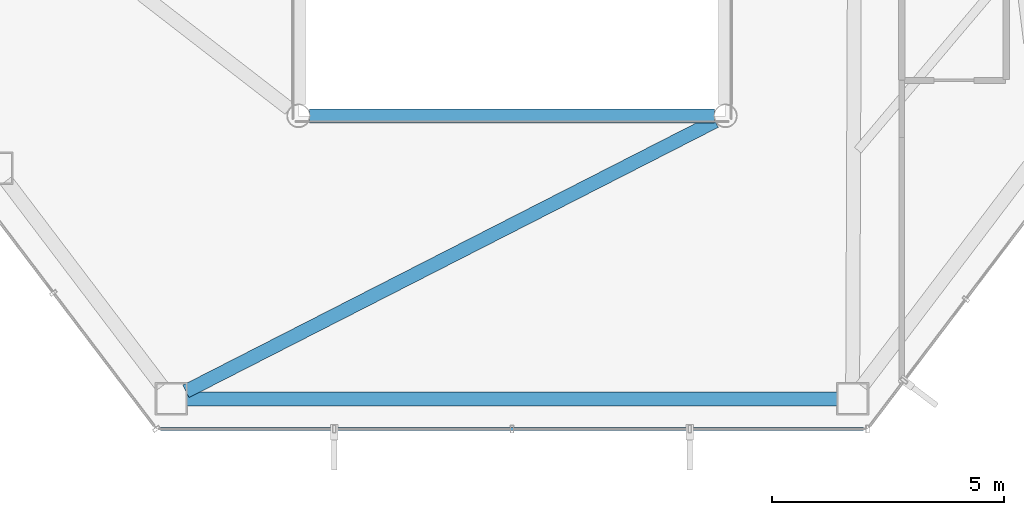
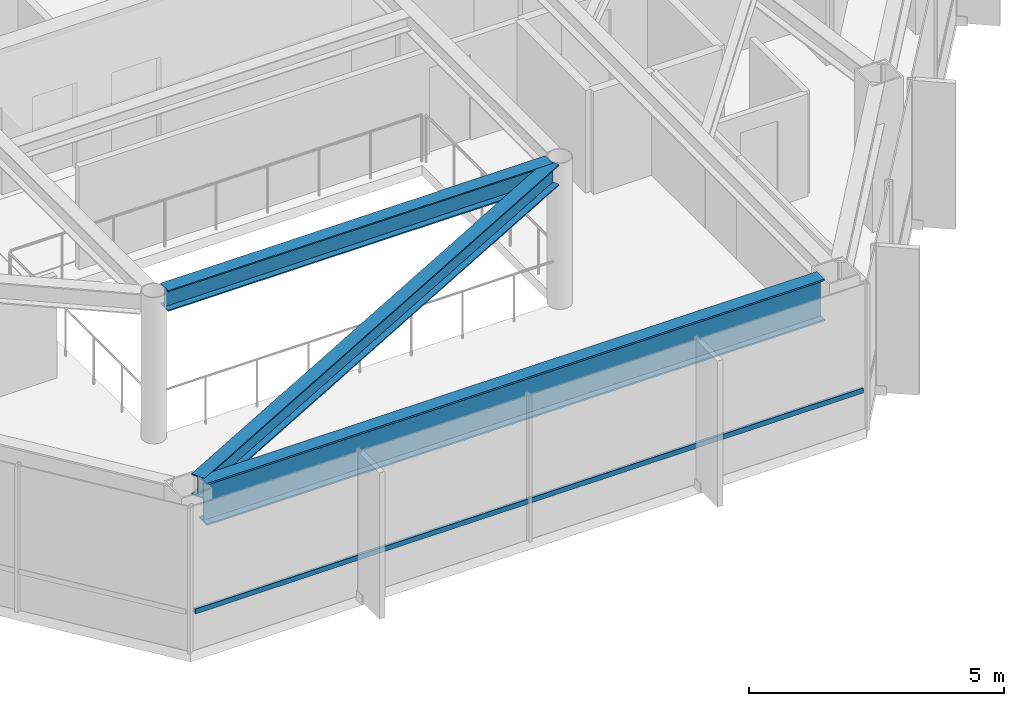
# One storey, part 7 of 28: 3 beams, 1 member, 1 element without a shape of its own.
"""IFC4 building model written with IfcOpenShell, lengths in metres."""

import ifcopenshell
import ifcopenshell.guid

model = None  # the IFC model being written
_history = None  # IfcOwnerHistory: only IFC2X3 demands one
_inside = {}  # id of a spatial element -> (the spatial element, [elements in it])
_under = {}  # id of a project, library or spatial element -> (it, [spatial elements below it])
_declared = {}  # id of a project -> (the project, [libraries it declares])
_typed = {}  # id of a type object -> (the type object, [elements of that type])
_made_of = {}  # id of a material, layer set ... -> (it, [elements and type objects made of it])


def new_model(schema):
    """Start an empty IFC model of exactly this schema.

    Asked for "IFC4X3", IfcOpenShell would pick the latest addendum, in which some entities
    have other attributes; the version numbers below select the first issue.
    IFC2X3 requires an IfcOwnerHistory on every rooted entity: one is made here for all.
    """
    global model, _history
    if schema == "IFC4X3":
        model = ifcopenshell.file(schema_version=(4, 3, 0, 0))
    else:
        model = ifcopenshell.file(schema=schema)
    _inside.clear()
    _under.clear()
    _declared.clear()
    _typed.clear()
    _made_of.clear()
    _history = None
    if model.schema == "IFC2X3":
        org = make("IfcOrganization", Name="unknown")
        user = make(
            "IfcPersonAndOrganization",
            ThePerson=make("IfcPerson", FamilyName="unknown"),
            TheOrganization=org,
        )
        app = make(
            "IfcApplication",
            ApplicationDeveloper=org,
            Version="unknown",
            ApplicationFullName="unknown",
            ApplicationIdentifier="unknown",
        )
        _history = make(
            "IfcOwnerHistory",
            OwningUser=user,
            OwningApplication=app,
            ChangeAction="ADDED",
            CreationDate=0,
        )
    return model


def make(cls, **values):
    """One entity of the class cls with the attributes given. An attribute that is None is left unset."""
    return model.create_entity(
        cls, **{name: value for name, value in values.items() if value is not None}
    )


def rooted(cls, **values):
    """An entity with a GlobalId (a new one), such as an element, a storey or a relation."""
    return make(cls, GlobalId=ifcopenshell.guid.new(), OwnerHistory=_history, **values)


def si_unit(unit_type, name, prefix=None):
    """IfcSIUnit, for example si_unit("LENGTHUNIT", "METRE", prefix="MILLI")."""
    return make("IfcSIUnit", UnitType=unit_type, Prefix=prefix, Name=name)


def assignment(units):
    """IfcUnitAssignment: the units of a project."""
    return None if units is None else make("IfcUnitAssignment", Units=units)


def point(xyz):
    """IfcCartesianPoint."""
    return None if xyz is None else make("IfcCartesianPoint", Coordinates=xyz)


def direction(xyz):
    """IfcDirection."""
    return None if xyz is None else make("IfcDirection", DirectionRatios=xyz)


def frame(location, z_axis=None, x_axis=None):
    """IfcAxis2Placement3D, a coordinate frame: its origin and axes. An axis left out is left unset."""
    return make(
        "IfcAxis2Placement3D",
        Location=point(location),
        Axis=direction(z_axis),
        RefDirection=direction(x_axis),
    )


def frame_2d(location, x_axis=None):
    """IfcAxis2Placement2D, a coordinate frame in the plane: its origin and x axis."""
    return make(
        "IfcAxis2Placement2D", Location=point(location), RefDirection=direction(x_axis)
    )


def origin():
    """The frame at (0, 0, 0) with its axes left unset."""
    return frame((0.0, 0.0, 0.0))


def origin_2d():
    """The frame at (0, 0) in the plane with its x axis left unset."""
    return frame_2d((0.0, 0.0))


def place(relative_to, where):
    """IfcLocalPlacement: puts the frame where relative to a parent placement (None: the world)."""
    return make(
        "IfcLocalPlacement", PlacementRelTo=relative_to, RelativePlacement=where
    )


def context(
    kind, dimensions, precision=None, world=None, true_north=None, identifier=None
):
    """IfcGeometricRepresentationContext, for example the 3D "Model" context."""
    return make(
        "IfcGeometricRepresentationContext",
        ContextIdentifier=identifier,
        ContextType=kind,
        CoordinateSpaceDimension=dimensions,
        Precision=precision,
        WorldCoordinateSystem=world,
        TrueNorth=true_north,
    )


def subcontext(parent, identifier, kind, view, scale=None):
    """IfcGeometricRepresentationSubContext, for example "Body" below "Model"."""
    return make(
        "IfcGeometricRepresentationSubContext",
        ContextIdentifier=identifier,
        ContextType=kind,
        ParentContext=parent,
        TargetScale=scale,
        TargetView=view,
    )


def project(units=None, contexts=None):
    """IfcProject with its units and contexts."""
    return rooted(
        "IfcProject",
        Name="project",
        RepresentationContexts=contexts,
        UnitsInContext=assignment(units),
    )


def spatial(cls, under=None, at=None, **own):
    """A site, building, storey or space (cls), placed at a placement, below another one or the project."""
    s = rooted(cls, ObjectPlacement=at, **own)
    if under is not None:
        _under.setdefault(under.id(), (under, []))[1].append(s)
    return s


def profile(cls, at=None, kind="AREA", **sizes):
    """A parametric profile (cls). Its sizes go by their IFC names, for example OverallWidth=200.0."""
    return make(cls, ProfileType=kind, Position=at, **sizes)


def hollow_rectangle(**sizes):
    """IfcRectangleHollowProfileDef."""
    return profile("IfcRectangleHollowProfileDef", **sizes)


def i_section(**sizes):
    """IfcIShapeProfileDef."""
    return profile("IfcIShapeProfileDef", **sizes)


def extrude(swept, where, along, depth):
    """IfcExtrudedAreaSolid: the profile swept, set in the frame where, extruded along a direction by depth."""
    return make(
        "IfcExtrudedAreaSolid",
        SweptArea=swept,
        Position=where,
        ExtrudedDirection=direction(along),
        Depth=depth,
    )


def shape(context_of_items, identifier, shape_type, items):
    """IfcShapeRepresentation: the items that make up one representation, for example the "Body"."""
    return make(
        "IfcShapeRepresentation",
        ContextOfItems=context_of_items,
        RepresentationIdentifier=identifier,
        RepresentationType=shape_type,
        Items=items,
    )


def material(Name=None, Category=None):
    """IfcMaterial."""
    return make("IfcMaterial", Name=Name, Category=Category)


def layer(
    of_material, thickness, ventilated=None, Name=None, Category=None, Priority=None
):
    """IfcMaterialLayer: one layer of a wall or slab, of a material (None: an air gap)."""
    return make(
        "IfcMaterialLayer",
        Material=of_material,
        LayerThickness=thickness,
        IsVentilated=ventilated,
        Name=Name,
        Category=Category,
        Priority=Priority,
    )


def layer_set(layers, Name=None):
    """IfcMaterialLayerSet."""
    return make("IfcMaterialLayerSet", MaterialLayers=layers, LayerSetName=Name)


def material_profile(
    of_material, cross_section, Name=None, Category=None, Priority=None
):
    """IfcMaterialProfile: a cross section and its material."""
    return make(
        "IfcMaterialProfile",
        Name=Name,
        Material=of_material,
        Profile=cross_section,
        Priority=Priority,
        Category=Category,
    )


def profile_set(profiles, Name=None, composite=None):
    """IfcMaterialProfileSet."""
    return make(
        "IfcMaterialProfileSet",
        Name=Name,
        MaterialProfiles=profiles,
        CompositeProfile=composite,
    )


def made_of(thing, what):
    """Note that an element or type object is made of a material, layer set ...; save() writes the relation."""
    if what is not None:
        _made_of.setdefault(what.id(), (what, []))[1].append(thing)
    return thing


def type_object(cls, material=None, **own):
    """A type object (cls), such as IfcWallType, which elements share."""
    return made_of(rooted(cls, **own), material)


def element(
    cls,
    number,
    at=None,
    inside=None,
    cuts=None,
    type_object=None,
    material=None,
    context=None,
    identifier="Body",
    shape_type=None,
    held_by="IfcProductDefinitionShape",
    body=None,
    shapes=None,
    **own,
):
    """One element of the class cls, such as IfcWall. Its Tag is "e" and its number.

    at: its placement. inside: the storey or other place that contains it. cuts: it is an
    opening in that element (IfcRelVoidsElement). A single representation is given by context,
    identifier, shape_type and body (its items); several are given by shapes. held_by: the class
    of the entity that holds the representations. save() writes the other relations.
    """
    e = rooted(cls, Tag="e%d" % number, ObjectPlacement=at, **own)
    if body is not None:
        shapes = [shape(context, identifier, shape_type, body)]
    if shapes is not None:
        e.Representation = make(held_by, Representations=shapes)
    if inside is not None:
        _inside.setdefault(inside.id(), (inside, []))[1].append(e)
    if cuts is not None:
        rooted(
            "IfcRelVoidsElement", RelatingBuildingElement=cuts, RelatedOpeningElement=e
        )
    if type_object is not None:
        _typed.setdefault(type_object.id(), (type_object, []))[1].append(e)
    return made_of(e, material)


def aggregate(whole, parts):
    """IfcRelAggregates: a whole, such as a stair, and the parts it consists of."""
    return rooted("IfcRelAggregates", RelatingObject=whole, RelatedObjects=parts)


def save(model, path):
    """Write the relations noted so far, then the file.

    IfcRelAggregates (storeys below a building ...), IfcRelContainedInSpatialStructure (elements
    in a storey), IfcRelDefinesByType, IfcRelAssociatesMaterial and IfcRelDeclares: one each for
    every whole, place, type object, material and project.
    """
    for whole, parts in _under.values():
        aggregate(whole, parts)
    for where, things in _inside.values():
        rooted(
            "IfcRelContainedInSpatialStructure",
            RelatedElements=things,
            RelatingStructure=where,
        )
    for kind, things in _typed.values():
        rooted("IfcRelDefinesByType", RelatedObjects=things, RelatingType=kind)
    for what, things in _made_of.values():
        rooted("IfcRelAssociatesMaterial", RelatedObjects=things, RelatingMaterial=what)
    for by, libraries in _declared.values():
        rooted("IfcRelDeclares", RelatingContext=by, RelatedDefinitions=libraries)
    model.write(path)


model = new_model("IFC4")

# Units and contexts
model_context = context("Model", 3, precision=1e-05, world=origin(), true_north=direction((0.0, 1.0)))
body_context = subcontext(model_context, "Body", "Model", "MODEL_VIEW")
ifc_project = project(units=[si_unit("LENGTHUNIT", "METRE"), si_unit("AREAUNIT", "SQUARE_METRE"), si_unit("VOLUMEUNIT", "CUBIC_METRE"), si_unit("PLANEANGLEUNIT", "RADIAN"), si_unit("MASSUNIT", "GRAM", prefix="KILO")], contexts=[model_context])

# Site, building, storey
site_placement = place(None, origin())
site = spatial("IfcSite", under=ifc_project, at=site_placement, CompositionType="ELEMENT")
building_placement = place(site_placement, origin())
building = spatial("IfcBuilding", under=site, at=building_placement, Name="Zarrinselat Tower", CompositionType="ELEMENT")
storey_placement = place(building_placement, frame((0.0, 0.0, 164.56005859375)))
storey = spatial("IfcBuildingStorey", under=building, at=storey_placement, Name="L40", CompositionType="ELEMENT", Elevation=164.56005859375)

# Beams
ifc_material_1 = material(Name="Steel S355J2", Category="steel")
ifc_material_profile_1 = material_profile(ifc_material_1, i_section(OverallWidth=0.300048828125, OverallDepth=0.5, WebThickness=0.014404296875, FlangeThickness=0.028076171875, at=origin_2d()), Name="HEB 500")
ifc_profile_set_1 = profile_set([ifc_material_profile_1], Name="Steel S355J2")
beam_type_1 = type_object("IfcBeamType", Name="BM-HEB500", PredefinedType="BEAM", material=ifc_profile_set_1)
beam_1_placement = place(storey_placement, frame((34.0400390625, 24.39990234375, 3.25), z_axis=(1.0, 0.0, 0.0), x_axis=(0.0, 1.0, 0.0)))
element("IfcBeam", 1, at=beam_1_placement, inside=storey, type_object=beam_type_1, Name="L40 Atrium Edge Beam S", PredefinedType="BEAM", context=body_context, shape_type="SweptSolid", body=[
    extrude(i_section(OverallWidth=0.300048828125, OverallDepth=0.5, WebThickness=0.014404296875, FlangeThickness=0.028076171875, at=origin_2d()), origin(), (0.0, 0.0, 1.0), 8.719970703125),
])
beam_2_placement = place(storey_placement, frame((31.3740234375, 18.46337890625, 3.25), z_axis=(0.890604443327, 0.454778765475, 0.0), x_axis=(-0.454778765475, 0.890604443327, 0.0)))
element("IfcBeam", 2, at=beam_2_placement, inside=storey, type_object=beam_type_1, Name="L40 Radial Primary Girder RG10", PredefinedType="BEAM", context=body_context, shape_type="SweptSolid", body=[
    extrude(i_section(OverallWidth=0.300048828125, OverallDepth=0.5, WebThickness=0.014404296875, FlangeThickness=0.028076171875, at=origin_2d()), origin(), (0.0, 0.0, 1.0), 12.803955078125),
])
ifc_material_2 = material(Name="Steel S460M", Category="steel")
ifc_material_profile_2 = material_profile(ifc_material_2, i_section(OverallWidth=0.302001953125, OverallDepth=1.008056640625, WebThickness=0.02099609375, FlangeThickness=0.0400390625, at=origin_2d()), Name="HEM 1000")
ifc_profile_set_2 = profile_set([ifc_material_profile_2], Name="Steel S460M")
beam_type_2 = type_object("IfcBeamType", Name="BM-HEM1000", PredefinedType="BEAM", material=ifc_profile_set_2)
beam_3_placement = place(storey_placement, frame((31.398681640625, 18.30322265625, 2.995849609375), z_axis=(1.0, 0.0, 0.0), x_axis=(0.0, 1.0, 0.0)))
element("IfcBeam", 3, at=beam_3_placement, inside=storey, type_object=beam_type_2, Name="L40 Perimeter Spandrel Girder SP10", PredefinedType="BEAM", context=body_context, shape_type="SweptSolid", body=[
    extrude(i_section(OverallWidth=0.302001953125, OverallDepth=1.008056640625, WebThickness=0.02099609375, FlangeThickness=0.0400390625, at=origin_2d()), origin(), (0.0, 0.0, 1.0), 14.002685546875),
])

# Curtain wall, member
ifc_material_3 = material(Name="Extruded Aluminium Alloy EN AW-6063 T6", Category="aluminium")
ifc_layer = layer(ifc_material_3, 0.175048828125)
ifc_layer_set = layer_set([ifc_layer], Name="Extruded Aluminium Alloy EN AW-6063 T6")
curtain_wall_type = type_object("IfcCurtainWallType", Name="CWS-HTL", PredefinedType="NOTDEFINED", material=ifc_layer_set)
curtain_wall_placement = place(storey_placement, origin())
curtain_wall = element("IfcCurtainWall", 4, at=curtain_wall_placement, inside=storey, type_object=curtain_wall_type, Name="L40 Unitised Curtain Wall CW-L40-E04", PredefinedType="NOTDEFINED")
ifc_material_4 = material(Name="Extruded Aluminium Alloy EN AW-6063 T6", Category="aluminium")
ifc_material_profile_3 = material_profile(ifc_material_4, hollow_rectangle(XDim=0.06005859375, YDim=0.1201171875, WallThickness=0.00390625, at=origin_2d()), Name="RHS 120x60x4")
ifc_profile_set_3 = profile_set([ifc_material_profile_3], Name="Extruded Aluminium Alloy EN AW-6063 T6")
member_type = type_object("IfcMemberType", Name="MEM-CW-TRN2", PredefinedType="USERDEFINED", material=ifc_profile_set_3)
member_placement = place(storey_placement, frame((30.82763671875, 17.6533203125, 0.949951171875), z_axis=(1.0, 0.0, 0.0), x_axis=(0.0, 1.0, 0.0)))
member = element("IfcMember", 5, at=member_placement, type_object=member_type, Name="CW-L40-E04 Transom 1", ObjectType="TRANSOM", PredefinedType="USERDEFINED", context=body_context, shape_type="SweptSolid", body=[
    extrude(hollow_rectangle(XDim=0.06005859375, YDim=0.1201171875, WallThickness=0.00390625, at=origin_2d()), origin(), (0.0, 0.0, 1.0), 15.144775390625),
])
aggregate(curtain_wall, [member])

save(model, "model.ifc")
